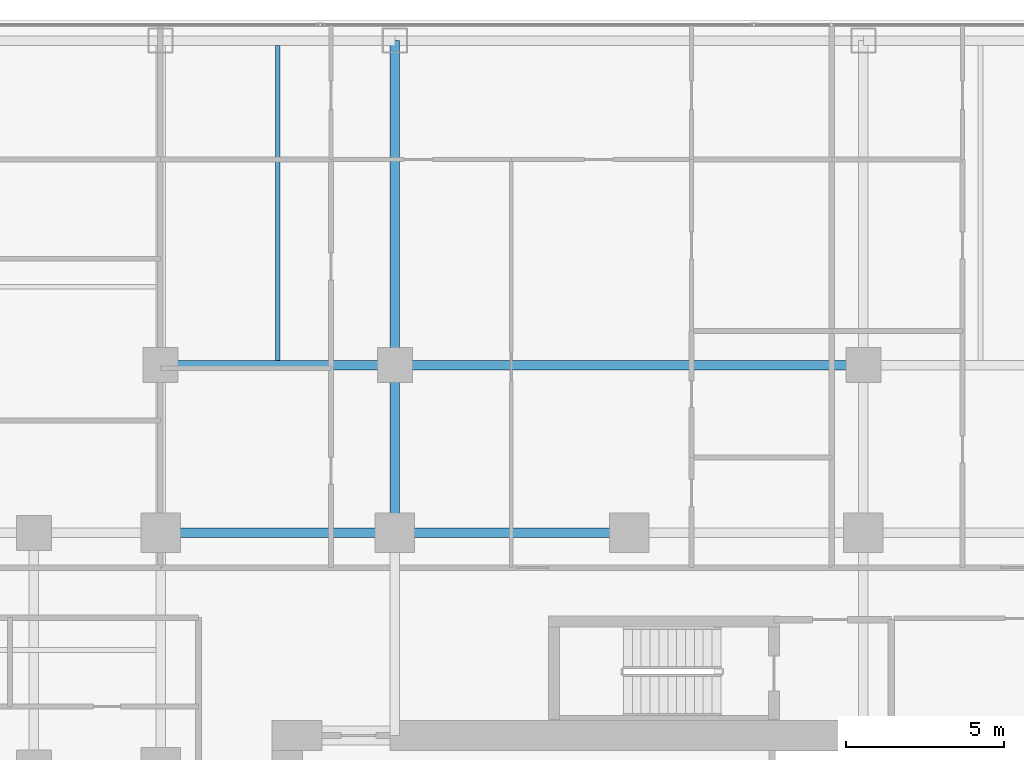
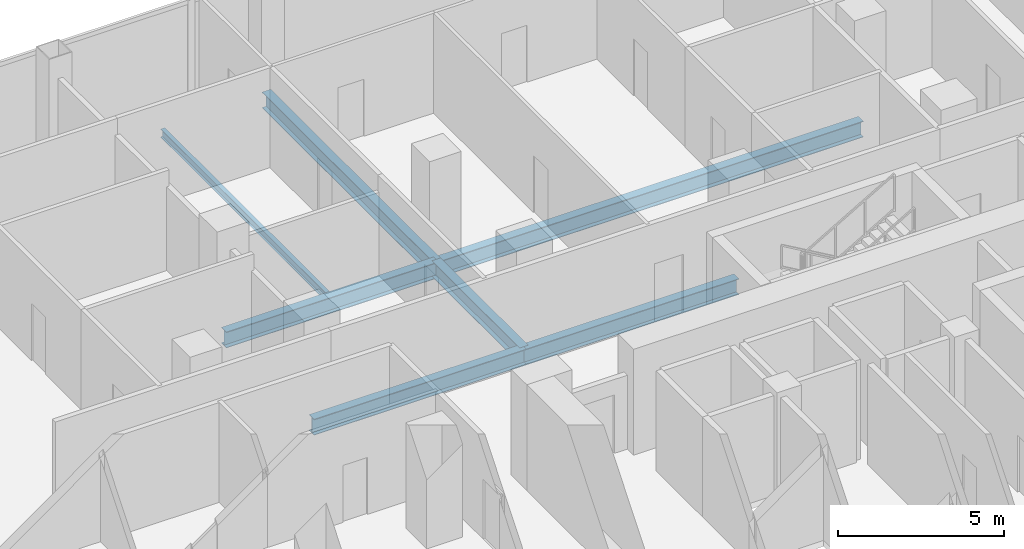
# One storey, part 14 of 27: 7 beams.
"""IFC4 building model written with IfcOpenShell, lengths in metres."""

from ifc_helpers import new_model, si_unit, direction, frame, origin, origin_2d, place, context, subcontext, project, spatial, i_section, extrude, material, material_profile, profile_set, type_object, element, save


model = new_model("IFC4")

# Units and contexts
model_context = context("Model", 3, precision=1e-05, world=origin(), true_north=direction((0.0, 1.0)))
body_context = subcontext(model_context, "Body", "Model", "MODEL_VIEW")
ifc_project = project(units=[si_unit("LENGTHUNIT", "METRE"), si_unit("AREAUNIT", "SQUARE_METRE"), si_unit("VOLUMEUNIT", "CUBIC_METRE"), si_unit("PLANEANGLEUNIT", "RADIAN"), si_unit("MASSUNIT", "GRAM", prefix="KILO")], contexts=[model_context])

# Site, building, storey
site_placement = place(None, origin())
site = spatial("IfcSite", under=ifc_project, at=site_placement, CompositionType="ELEMENT")
building_placement = place(site_placement, origin())
building = spatial("IfcBuilding", under=site, at=building_placement, Name="Khorvyn Point Tower", CompositionType="ELEMENT")
storey_placement = place(building_placement, frame((0.0, 0.0, 96.89990234375)))
storey = spatial("IfcBuildingStorey", under=building, at=storey_placement, Name="L24", CompositionType="ELEMENT", Elevation=96.89990234375)

# Beams
ifc_material = material(Name="Steel S355", Category="steel")
ifc_material_profile_1 = material_profile(ifc_material, i_section(OverallWidth=0.300048828125, OverallDepth=0.587890625, WebThickness=0.011962890625, FlangeThickness=0.02001953125, at=origin_2d()))
ifc_profile_set_1 = profile_set([ifc_material_profile_1], Name="Steel S355 H588x300x12x20")
beam_type_1 = type_object("IfcBeamType", Name="Steel S355 Beam H588x300x12x20", PredefinedType="BEAM", material=ifc_profile_set_1)
beam_1_placement = place(storey_placement, frame((-14.800048828125, 14.800048828125, -0.513916015625), z_axis=(1.0, 0.0, 0.0), x_axis=(0.0, 1.0, 0.0)))
element("IfcBeam", 1, at=beam_1_placement, inside=storey, type_object=beam_type_1, Name="Beam", PredefinedType="BEAM", context=body_context, shape_type="SweptSolid", body=[
    extrude(i_section(OverallWidth=0.300048828125, OverallDepth=0.587890625, WebThickness=0.011962890625, FlangeThickness=0.02001953125, at=origin_2d()), origin(), (0.0, 0.0, 1.0), 7.400146484375),
])
beam_2_placement = place(storey_placement, frame((-7.39990234375, 14.800048828125, -0.513916015625), z_axis=(1.0, 0.0, 0.0), x_axis=(0.0, 1.0, 0.0)))
element("IfcBeam", 2, at=beam_2_placement, inside=storey, type_object=beam_type_1, Name="Beam", PredefinedType="BEAM", context=body_context, shape_type="SweptSolid", body=[
    extrude(i_section(OverallWidth=0.300048828125, OverallDepth=0.587890625, WebThickness=0.011962890625, FlangeThickness=0.02001953125, at=origin_2d()), origin(), (0.0, 0.0, 1.0), 7.39990234375),
])
beam_3_placement = place(storey_placement, frame((-14.800048828125, 20.10009765625, -0.513916015625), z_axis=(1.0, 0.0, 0.0), x_axis=(0.0, 1.0, 0.0)))
element("IfcBeam", 3, at=beam_3_placement, inside=storey, type_object=beam_type_1, Name="Beam", PredefinedType="BEAM", context=body_context, shape_type="SweptSolid", body=[
    extrude(i_section(OverallWidth=0.300048828125, OverallDepth=0.587890625, WebThickness=0.011962890625, FlangeThickness=0.02001953125, at=origin_2d()), origin(), (0.0, 0.0, 1.0), 7.400146484375),
])
beam_4_placement = place(storey_placement, frame((-7.39990234375, 20.10009765625, -0.513916015625), z_axis=(1.0, 0.0, 0.0), x_axis=(0.0, 1.0, 0.0)))
element("IfcBeam", 4, at=beam_4_placement, inside=storey, type_object=beam_type_1, Name="Beam", PredefinedType="BEAM", context=body_context, shape_type="SweptSolid", body=[
    extrude(i_section(OverallWidth=0.300048828125, OverallDepth=0.587890625, WebThickness=0.011962890625, FlangeThickness=0.02001953125, at=origin_2d()), origin(), (0.0, 0.0, 1.0), 14.7998046875),
])
beam_5_placement = place(storey_placement, frame((-7.39990234375, 14.800048828125, -0.513916015625), z_axis=(0.0, 1.0, 0.0), x_axis=(-1.0, 0.0, 0.0)))
element("IfcBeam", 5, at=beam_5_placement, inside=storey, type_object=beam_type_1, Name="Beam", PredefinedType="BEAM", context=body_context, shape_type="SweptSolid", body=[
    extrude(i_section(OverallWidth=0.300048828125, OverallDepth=0.587890625, WebThickness=0.011962890625, FlangeThickness=0.02001953125, at=origin_2d()), origin(), (0.0, 0.0, 1.0), 5.300048828125),
])
beam_6_placement = place(storey_placement, frame((-7.39990234375, 20.10009765625, -0.513916015625), z_axis=(0.0, 1.0, 0.0), x_axis=(-1.0, 0.0, 0.0)))
element("IfcBeam", 6, at=beam_6_placement, inside=storey, type_object=beam_type_1, Name="Beam", PredefinedType="BEAM", context=body_context, shape_type="SweptSolid", body=[
    extrude(i_section(OverallWidth=0.300048828125, OverallDepth=0.587890625, WebThickness=0.011962890625, FlangeThickness=0.02001953125, at=origin_2d()), origin(), (0.0, 0.0, 1.0), 10.25),
])
ifc_material_profile_2 = material_profile(ifc_material, i_section(OverallWidth=0.14990234375, OverallDepth=0.300048828125, WebThickness=0.006591796875, FlangeThickness=0.009033203125, at=origin_2d()))
ifc_profile_set_2 = profile_set([ifc_material_profile_2], Name="Steel S355 H300x150x6.5x9")
beam_type_2 = type_object("IfcBeamType", Name="Steel S355 Joist H300x150x6.5x9", PredefinedType="JOIST", material=ifc_profile_set_2)
beam_7_placement = place(storey_placement, frame((-11.10009765625, 20.25, -0.369873046875), z_axis=(0.0, 1.0, 0.0), x_axis=(-1.0, 0.0, 0.0)))
element("IfcBeam", 7, at=beam_7_placement, inside=storey, type_object=beam_type_2, Name="Beam", PredefinedType="JOIST", context=body_context, shape_type="SweptSolid", body=[
    extrude(i_section(OverallWidth=0.14990234375, OverallDepth=0.300048828125, WebThickness=0.006591796875, FlangeThickness=0.009033203125, at=origin_2d()), origin(), (0.0, 0.0, 1.0), 9.949951171875),
])

save(model, "model.ifc")
